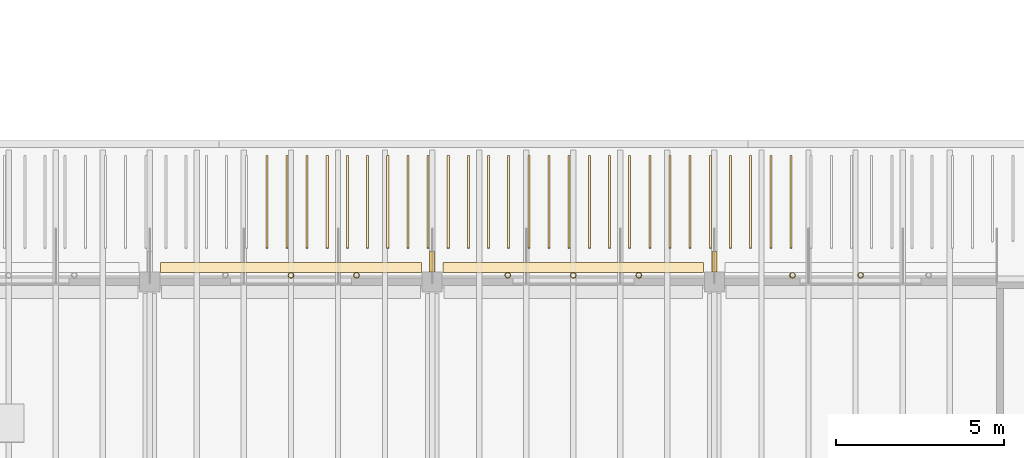
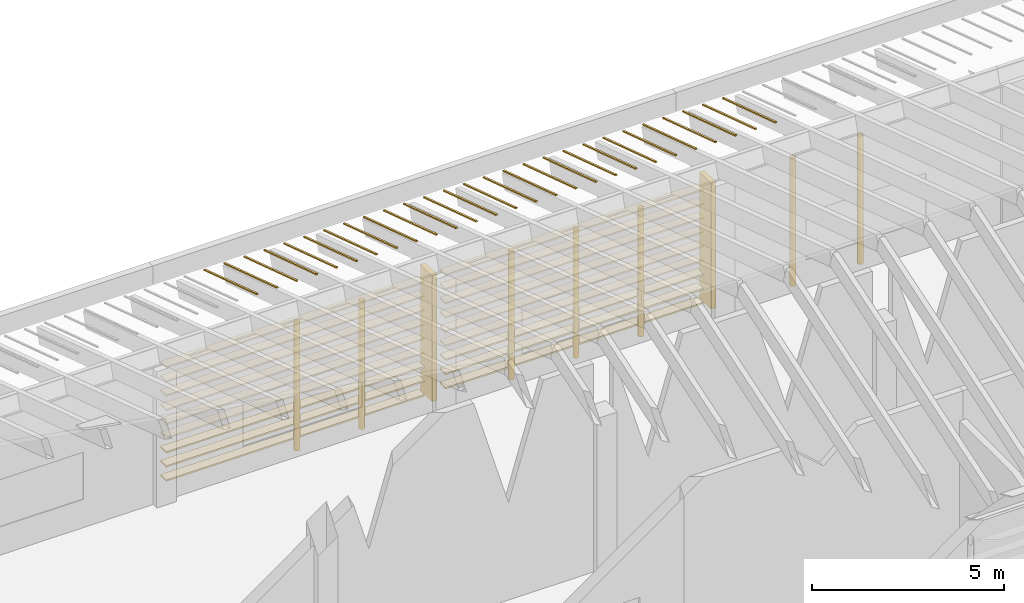
# One storey, part 50 of 59: 45 coverings, 9 shading devices.
"""IFC4 building model written with IfcOpenShell, lengths in metres."""

from ifc_helpers import new_model, si_unit, direction, frame, origin, origin_2d, place, context, subcontext, project, spatial, polyline, rectangle, hollow_circle, outline, extrude, material, layer, layer_set, material_profile, profile_set, type_object, element, save


model = new_model("IFC4")

# Units and contexts
model_context = context("Model", 3, precision=1e-05, world=origin(), true_north=direction((0.0, 1.0)))
body_context = subcontext(model_context, "Body", "Model", "MODEL_VIEW")
ifc_project = project(units=[si_unit("LENGTHUNIT", "METRE"), si_unit("AREAUNIT", "SQUARE_METRE"), si_unit("VOLUMEUNIT", "CUBIC_METRE"), si_unit("PLANEANGLEUNIT", "RADIAN"), si_unit("MASSUNIT", "GRAM", prefix="KILO")], contexts=[model_context])

# Site, building, storey
site_placement = place(None, origin())
site = spatial("IfcSite", under=ifc_project, at=site_placement, CompositionType="ELEMENT")
building_placement = place(site_placement, origin())
building = spatial("IfcBuilding", under=site, at=building_placement, Name="Almond Square Museum", CompositionType="ELEMENT")
storey_placement = place(building_placement, frame((0.0, 0.0, 25.0)))
storey = spatial("IfcBuildingStorey", under=building, at=storey_placement, Name="L04", CompositionType="ELEMENT", Elevation=25.0)

# Shading devices
ifc_material_1 = material(Name="Structural steel S355", Category="steel")
ifc_material_profile_1 = material_profile(ifc_material_1, hollow_circle(Radius=0.084228515625, WallThickness=0.008056640625, at=origin_2d()))
ifc_profile_set_1 = profile_set([ifc_material_profile_1], Name="Structural steel S355")
shading_device_type_1 = type_object("IfcShadingDeviceType", Name="Louvre post CHS 168.3 x 8", PredefinedType="USERDEFINED", material=ifc_profile_set_1)
for number, where, z_axis, x_axis, name in (
    (1, (117.52490234375, 16.994140625, 0.0), (0.0, 0.0, 1.0), (1.0, 0.0, 0.0), "Louvre screen post"),
    (2, (119.550048828125, 16.994140625, 0.0), (0.0, 0.0, 1.0), (1.0, 0.0, 0.0), "Louvre screen post"),
    (3, (109.050048828125, 16.994140625, 0.0), (0.0, 0.0, 1.0), (1.0, 0.0, 0.0), "Louvre screen post"),
    (4, (111.0, 16.994140625, 0.0), (0.0, 0.0, 1.0), (1.0, 0.0, 0.0), "Louvre screen post"),
    (5, (112.949951171875, 16.994140625, 0.0), (0.0, 0.0, 1.0), (1.0, 0.0, 0.0), "Louvre screen post"),
    (6, (102.60009765625, 16.994140625, 0.0), (0.0, 0.0, 1.0), (1.0, 0.0, 0.0), "Louvre screen post"),
    (7, (104.550048828125, 16.994140625, 0.0), (0.0, 0.0, 1.0), (1.0, 0.0, 0.0), "Louvre screen post"),
):
    element("IfcShadingDevice", number, at=place(storey_placement, frame(where, z_axis=z_axis, x_axis=x_axis)), inside=storey, type_object=shading_device_type_1, Name=name, ObjectType="POST", PredefinedType="USERDEFINED", context=body_context, shape_type="SweptSolid", body=[
        extrude(hollow_circle(Radius=0.084228515625, WallThickness=0.008056640625, at=origin_2d()), origin(), (0.0, 0.0, 1.0), 4.08447265625),
    ])

# Coverings
ifc_material_2 = material(Name="Cedar timber louvre board", Category="wood")
ifc_material_profile_2 = material_profile(ifc_material_2, rectangle(XDim=0.300048828125, YDim=0.050048828125, at=origin_2d()))
ifc_profile_set_2 = profile_set([ifc_material_profile_2], Name="Cedar timber louvre board")
covering_type_1 = type_object("IfcCoveringType", Name="Louvre screen board 300 x 50", PredefinedType="CLADDING", material=ifc_profile_set_2)
for number, where, z_axis, x_axis, name in (
    (8, (107.1201171875, 17.224365234375, 0.300048828125), (1.0, 0.0, 0.0), (0.0, 1.0, 0.0), "Louvre screen board"),
    (9, (107.1201171875, 17.224365234375, 0.75), (1.0, 0.0, 0.0), (0.0, 1.0, 0.0), "Louvre screen board"),
    (10, (107.1201171875, 17.224365234375, 1.199951171875), (1.0, 0.0, 0.0), (0.0, 1.0, 0.0), "Louvre screen board"),
    (11, (107.1201171875, 17.224365234375, 1.64990234375), (1.0, 0.0, 0.0), (0.0, 1.0, 0.0), "Louvre screen board"),
    (12, (107.1201171875, 17.224365234375, 2.10009765625), (1.0, 0.0, 0.0), (0.0, 1.0, 0.0), "Louvre screen board"),
    (13, (107.1201171875, 17.224365234375, 2.550048828125), (1.0, 0.0, 0.0), (0.0, 1.0, 0.0), "Louvre screen board"),
    (14, (107.1201171875, 17.224365234375, 3.0), (1.0, 0.0, 0.0), (0.0, 1.0, 0.0), "Louvre screen board"),
    (15, (107.1201171875, 17.224365234375, 3.449951171875), (1.0, 0.0, 0.0), (0.0, 1.0, 0.0), "Louvre screen board"),
    (16, (107.1201171875, 17.224365234375, 3.89990234375), (1.0, 0.0, 0.0), (0.0, 1.0, 0.0), "Louvre screen board"),
):
    element("IfcCovering", number, at=place(storey_placement, frame(where, z_axis=z_axis, x_axis=x_axis)), inside=storey, type_object=covering_type_1, Name=name, PredefinedType="CLADDING", context=body_context, shape_type="SweptSolid", body=[
        extrude(rectangle(XDim=0.300048828125, YDim=0.050048828125, at=origin_2d()), origin(), (0.0, 0.0, 1.0), 7.759765625),
    ])
for number, where, z_axis, x_axis, name in (
    (17, (98.719970703125, 17.224365234375, 0.300048828125), (1.0, 0.0, 0.0), (0.0, 1.0, 0.0), "Louvre screen board"),
    (18, (98.719970703125, 17.224365234375, 0.75), (1.0, 0.0, 0.0), (0.0, 1.0, 0.0), "Louvre screen board"),
    (19, (98.719970703125, 17.224365234375, 1.199951171875), (1.0, 0.0, 0.0), (0.0, 1.0, 0.0), "Louvre screen board"),
    (20, (98.719970703125, 17.224365234375, 1.64990234375), (1.0, 0.0, 0.0), (0.0, 1.0, 0.0), "Louvre screen board"),
    (21, (98.719970703125, 17.224365234375, 2.10009765625), (1.0, 0.0, 0.0), (0.0, 1.0, 0.0), "Louvre screen board"),
    (22, (98.719970703125, 17.224365234375, 2.550048828125), (1.0, 0.0, 0.0), (0.0, 1.0, 0.0), "Louvre screen board"),
    (23, (98.719970703125, 17.224365234375, 3.0), (1.0, 0.0, 0.0), (0.0, 1.0, 0.0), "Louvre screen board"),
    (24, (98.719970703125, 17.224365234375, 3.449951171875), (1.0, 0.0, 0.0), (0.0, 1.0, 0.0), "Louvre screen board"),
    (25, (98.719970703125, 17.224365234375, 3.89990234375), (1.0, 0.0, 0.0), (0.0, 1.0, 0.0), "Louvre screen board"),
):
    element("IfcCovering", number, at=place(storey_placement, frame(where, z_axis=z_axis, x_axis=x_axis)), inside=storey, type_object=covering_type_1, Name=name, PredefinedType="CLADDING", context=body_context, shape_type="SweptSolid", body=[
        extrude(rectangle(XDim=0.300048828125, YDim=0.050048828125, at=origin_2d()), origin(), (0.0, 0.0, 1.0), 7.760009765625),
    ])
ifc_material_3 = material(Name="Zinc standing seam")
ifc_layer = layer(ifc_material_3, 0.0400390625)
ifc_layer_set = layer_set([ifc_layer], Name="Zinc standing seam")
covering_type_2 = type_object("IfcCoveringType", Name="Roof standing seam rib 60 x 40", PredefinedType="CLADDING", material=ifc_layer_set)
covering_1_placement = place(storey_placement, frame((101.85009765625, 17.800048828125, 4.675048828125), z_axis=(0.0, 0.309024978252, 0.951053922139), x_axis=(1.0, 0.0, 0.0)))
element("IfcCovering", 26, at=covering_1_placement, inside=storey, type_object=covering_type_2, Name="Roof standing seam rib", PredefinedType="CLADDING", context=body_context, shape_type="SweptSolid", body=[
    extrude(outline(polyline([(0.0, 0.0), (0.059814453125, 0.0), (0.059814453125, 2.8915290037544534), (0.0, 2.8915290037544534), (0.0, 0.0)])), origin(), (0.0, 0.0, 1.0), 0.0400390625),
])
for number, where, z_axis, x_axis, name in (
    (27, (102.449951171875, 17.800048828125, 4.675048828125), (0.0, 0.309024978252, 0.951053922139), (1.0, 0.0, 0.0), "Roof standing seam rib"),
    (28, (103.050048828125, 17.800048828125, 4.675048828125), (0.0, 0.309024978252, 0.951053922139), (1.0, 0.0, 0.0), "Roof standing seam rib"),
    (29, (103.64990234375, 17.800048828125, 4.675048828125), (0.0, 0.309024978252, 0.951053922139), (1.0, 0.0, 0.0), "Roof standing seam rib"),
    (30, (104.25, 17.800048828125, 4.675048828125), (0.0, 0.309024978252, 0.951053922139), (1.0, 0.0, 0.0), "Roof standing seam rib"),
):
    element("IfcCovering", number, at=place(storey_placement, frame(where, z_axis=z_axis, x_axis=x_axis)), inside=storey, type_object=covering_type_2, Name=name, PredefinedType="CLADDING", context=body_context, shape_type="SweptSolid", body=[
        extrude(outline(polyline([(0.0, 0.0), (0.06005859375, 0.0), (0.06005859375, 2.891529003754454), (0.0, 2.891529003754454), (0.0, 0.0)])), origin(), (0.0, 0.0, 1.0), 0.0400390625),
    ])
covering_2_placement = place(storey_placement, frame((104.85009765625, 17.800048828125, 4.675048828125), z_axis=(0.0, 0.309024978252, 0.951053922139), x_axis=(1.0, 0.0, 0.0)))
element("IfcCovering", 31, at=covering_2_placement, inside=storey, type_object=covering_type_2, Name="Roof standing seam rib", PredefinedType="CLADDING", context=body_context, shape_type="SweptSolid", body=[
    extrude(outline(polyline([(0.0, 0.0), (0.059814453125, 0.0), (0.059814453125, 2.8915290037544534), (0.0, 2.8915290037544534), (0.0, 0.0)])), origin(), (0.0, 0.0, 1.0), 0.0400390625),
])
for number, where, z_axis, x_axis, name in (
    (32, (105.449951171875, 17.800048828125, 4.675048828125), (0.0, 0.309024978252, 0.951053922139), (1.0, 0.0, 0.0), "Roof standing seam rib"),
    (33, (106.050048828125, 17.800048828125, 4.675048828125), (0.0, 0.309024978252, 0.951053922139), (1.0, 0.0, 0.0), "Roof standing seam rib"),
    (34, (106.64990234375, 17.800048828125, 4.675048828125), (0.0, 0.309024978252, 0.951053922139), (1.0, 0.0, 0.0), "Roof standing seam rib"),
    (35, (107.25, 17.800048828125, 4.675048828125), (0.0, 0.309024978252, 0.951053922139), (1.0, 0.0, 0.0), "Roof standing seam rib"),
):
    element("IfcCovering", number, at=place(storey_placement, frame(where, z_axis=z_axis, x_axis=x_axis)), inside=storey, type_object=covering_type_2, Name=name, PredefinedType="CLADDING", context=body_context, shape_type="SweptSolid", body=[
        extrude(outline(polyline([(0.0, 0.0), (0.06005859375, 0.0), (0.06005859375, 2.891529003754454), (0.0, 2.891529003754454), (0.0, 0.0)])), origin(), (0.0, 0.0, 1.0), 0.0400390625),
    ])
covering_3_placement = place(storey_placement, frame((107.85009765625, 17.800048828125, 4.675048828125), z_axis=(0.0, 0.309024978252, 0.951053922139), x_axis=(1.0, 0.0, 0.0)))
element("IfcCovering", 36, at=covering_3_placement, inside=storey, type_object=covering_type_2, Name="Roof standing seam rib", PredefinedType="CLADDING", context=body_context, shape_type="SweptSolid", body=[
    extrude(outline(polyline([(0.0, 0.0), (0.059814453125, 0.0), (0.059814453125, 2.8915290037544534), (0.0, 2.8915290037544534), (0.0, 0.0)])), origin(), (0.0, 0.0, 1.0), 0.0400390625),
])
for number, where, z_axis, x_axis, name in (
    (37, (108.449951171875, 17.800048828125, 4.675048828125), (0.0, 0.309024978252, 0.951053922139), (1.0, 0.0, 0.0), "Roof standing seam rib"),
    (38, (109.050048828125, 17.800048828125, 4.675048828125), (0.0, 0.309024978252, 0.951053922139), (1.0, 0.0, 0.0), "Roof standing seam rib"),
    (39, (109.64990234375, 17.800048828125, 4.675048828125), (0.0, 0.309024978252, 0.951053922139), (1.0, 0.0, 0.0), "Roof standing seam rib"),
    (40, (110.25, 17.800048828125, 4.675048828125), (0.0, 0.309024978252, 0.951053922139), (1.0, 0.0, 0.0), "Roof standing seam rib"),
):
    element("IfcCovering", number, at=place(storey_placement, frame(where, z_axis=z_axis, x_axis=x_axis)), inside=storey, type_object=covering_type_2, Name=name, PredefinedType="CLADDING", context=body_context, shape_type="SweptSolid", body=[
        extrude(outline(polyline([(0.0, 0.0), (0.06005859375, 0.0), (0.06005859375, 2.891529003754454), (0.0, 2.891529003754454), (0.0, 0.0)])), origin(), (0.0, 0.0, 1.0), 0.0400390625),
    ])
covering_4_placement = place(storey_placement, frame((110.85009765625, 17.800048828125, 4.675048828125), z_axis=(0.0, 0.309024978252, 0.951053922139), x_axis=(1.0, 0.0, 0.0)))
element("IfcCovering", 41, at=covering_4_placement, inside=storey, type_object=covering_type_2, Name="Roof standing seam rib", PredefinedType="CLADDING", context=body_context, shape_type="SweptSolid", body=[
    extrude(outline(polyline([(0.0, 0.0), (0.059814453125, 0.0), (0.059814453125, 2.8915290037544534), (0.0, 2.8915290037544534), (0.0, 0.0)])), origin(), (0.0, 0.0, 1.0), 0.0400390625),
])
for number, where, z_axis, x_axis, name in (
    (42, (111.449951171875, 17.800048828125, 4.675048828125), (0.0, 0.309024978252, 0.951053922139), (1.0, 0.0, 0.0), "Roof standing seam rib"),
    (43, (112.050048828125, 17.800048828125, 4.675048828125), (0.0, 0.309024978252, 0.951053922139), (1.0, 0.0, 0.0), "Roof standing seam rib"),
    (44, (112.64990234375, 17.800048828125, 4.675048828125), (0.0, 0.309024978252, 0.951053922139), (1.0, 0.0, 0.0), "Roof standing seam rib"),
    (45, (113.25, 17.800048828125, 4.675048828125), (0.0, 0.309024978252, 0.951053922139), (1.0, 0.0, 0.0), "Roof standing seam rib"),
):
    element("IfcCovering", number, at=place(storey_placement, frame(where, z_axis=z_axis, x_axis=x_axis)), inside=storey, type_object=covering_type_2, Name=name, PredefinedType="CLADDING", context=body_context, shape_type="SweptSolid", body=[
        extrude(outline(polyline([(0.0, 0.0), (0.06005859375, 0.0), (0.06005859375, 2.891529003754454), (0.0, 2.891529003754454), (0.0, 0.0)])), origin(), (0.0, 0.0, 1.0), 0.0400390625),
    ])
covering_5_placement = place(storey_placement, frame((113.85009765625, 17.800048828125, 4.675048828125), z_axis=(0.0, 0.309024978252, 0.951053922139), x_axis=(1.0, 0.0, 0.0)))
element("IfcCovering", 46, at=covering_5_placement, inside=storey, type_object=covering_type_2, Name="Roof standing seam rib", PredefinedType="CLADDING", context=body_context, shape_type="SweptSolid", body=[
    extrude(outline(polyline([(0.0, 0.0), (0.059814453125, 0.0), (0.059814453125, 2.8915290037544534), (0.0, 2.8915290037544534), (0.0, 0.0)])), origin(), (0.0, 0.0, 1.0), 0.0400390625),
])
for number, where, z_axis, x_axis, name in (
    (47, (114.449951171875, 17.800048828125, 4.675048828125), (0.0, 0.309024978252, 0.951053922139), (1.0, 0.0, 0.0), "Roof standing seam rib"),
    (48, (115.050048828125, 17.800048828125, 4.675048828125), (0.0, 0.309024978252, 0.951053922139), (1.0, 0.0, 0.0), "Roof standing seam rib"),
    (49, (115.64990234375, 17.800048828125, 4.675048828125), (0.0, 0.309024978252, 0.951053922139), (1.0, 0.0, 0.0), "Roof standing seam rib"),
    (50, (116.25, 17.800048828125, 4.675048828125), (0.0, 0.309024978252, 0.951053922139), (1.0, 0.0, 0.0), "Roof standing seam rib"),
):
    element("IfcCovering", number, at=place(storey_placement, frame(where, z_axis=z_axis, x_axis=x_axis)), inside=storey, type_object=covering_type_2, Name=name, PredefinedType="CLADDING", context=body_context, shape_type="SweptSolid", body=[
        extrude(outline(polyline([(0.0, 0.0), (0.06005859375, 0.0), (0.06005859375, 2.891529003754454), (0.0, 2.891529003754454), (0.0, 0.0)])), origin(), (0.0, 0.0, 1.0), 0.0400390625),
    ])
covering_6_placement = place(storey_placement, frame((116.85009765625, 17.800048828125, 4.675048828125), z_axis=(0.0, 0.309024978252, 0.951053922139), x_axis=(1.0, 0.0, 0.0)))
element("IfcCovering", 51, at=covering_6_placement, inside=storey, type_object=covering_type_2, Name="Roof standing seam rib", PredefinedType="CLADDING", context=body_context, shape_type="SweptSolid", body=[
    extrude(outline(polyline([(0.0, 0.0), (0.059814453125, 0.0), (0.059814453125, 2.8915290037544534), (0.0, 2.8915290037544534), (0.0, 0.0)])), origin(), (0.0, 0.0, 1.0), 0.0400390625),
])
covering_7_placement = place(storey_placement, frame((117.449951171875, 17.800048828125, 4.675048828125), z_axis=(0.0, 0.309024978252, 0.951053922139), x_axis=(1.0, 0.0, 0.0)))
element("IfcCovering", 52, at=covering_7_placement, inside=storey, type_object=covering_type_2, Name="Roof standing seam rib", PredefinedType="CLADDING", context=body_context, shape_type="SweptSolid", body=[
    extrude(outline(polyline([(0.0, 0.0), (0.06005859375, 0.0), (0.06005859375, 2.891529003754454), (0.0, 2.891529003754454), (0.0, 0.0)])), origin(), (0.0, 0.0, 1.0), 0.0400390625),
])

# Shading devices
ifc_material_4 = material(Name="Cedar timber fin", Category="wood")
shading_device_type_2 = type_object("IfcShadingDeviceType", Name="Timber storm fin 150 x 600", PredefinedType="USERDEFINED", material=ifc_material_4)
for number, where, z_axis, x_axis, name in (
    (53, (106.800048828125, 17.39990234375, 0.0), (0.0, 0.0, 1.0), (1.0, 0.0, 0.0), "Timber storm fin"),
    (54, (115.199951171875, 17.39990234375, 0.0), (0.0, 0.0, 1.0), (1.0, 0.0, 0.0), "Timber storm fin"),
):
    element("IfcShadingDevice", number, at=place(storey_placement, frame(where, z_axis=z_axis, x_axis=x_axis)), inside=storey, type_object=shading_device_type_2, Name=name, ObjectType="FIN", PredefinedType="USERDEFINED", context=body_context, shape_type="SweptSolid", body=[
        extrude(rectangle(XDim=0.14990234375, YDim=0.60009765625, at=origin_2d()), origin(), (0.0, 0.0, 1.0), 4.007568359375),
    ])

save(model, "model.ifc")
